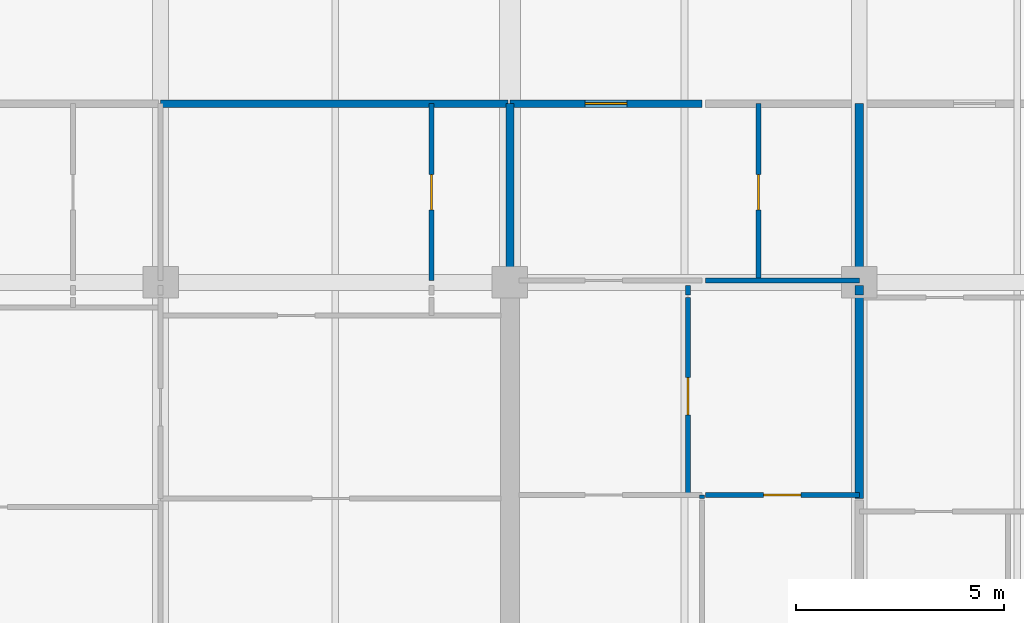
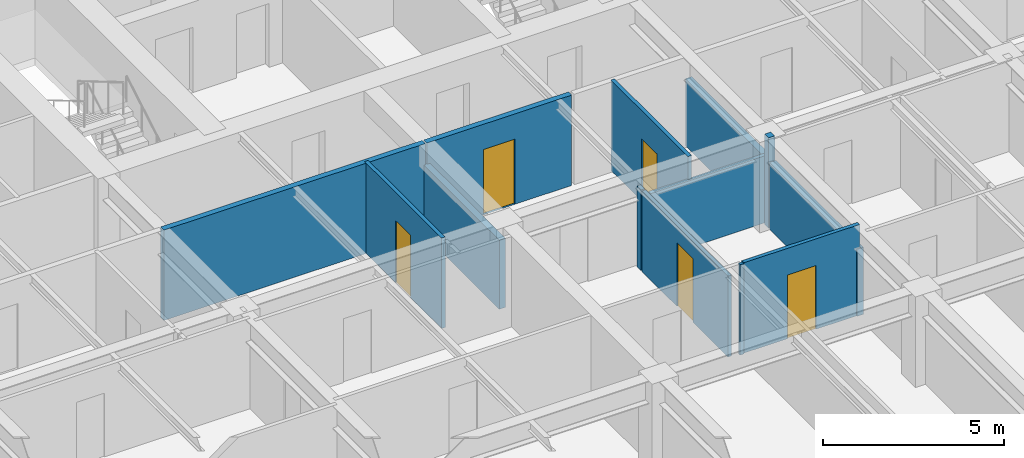
# One storey, part 8 of 18: 13 walls, 5 doors, 5 openings.
"""IFC4 building model written with IfcOpenShell, lengths in metres."""

from ifc_helpers import new_model, si_unit, direction, frame, frame_2d, origin, place, context, subcontext, project, spatial, rectangle, extrude, material, layer, layer_set, type_object, element, fill, save


model = new_model("IFC4")

# Units and contexts
model_context = context("Model", 3, precision=1e-05, world=origin(), true_north=direction((0.0, 1.0)))
body_context = subcontext(model_context, "Body", "Model", "MODEL_VIEW")
ifc_project = project(units=[si_unit("LENGTHUNIT", "METRE"), si_unit("AREAUNIT", "SQUARE_METRE"), si_unit("VOLUMEUNIT", "CUBIC_METRE"), si_unit("PLANEANGLEUNIT", "RADIAN"), si_unit("MASSUNIT", "GRAM", prefix="KILO")], contexts=[model_context])

# Site, building, storey
site_placement = place(None, origin())
site = spatial("IfcSite", under=ifc_project, at=site_placement, CompositionType="ELEMENT")
building_placement = place(site_placement, origin())
building = spatial("IfcBuilding", under=site, at=building_placement, Name="Caelmar Bay Residences", CompositionType="ELEMENT")
storey_placement = place(building_placement, frame((0.0, 0.0, 170.39990234375)))
storey = spatial("IfcBuildingStorey", under=building, at=storey_placement, Name="L47", CompositionType="ELEMENT", Elevation=170.39990234375)

# Wall
ifc_material_1 = material(Name="Double-stud acoustic fire-rated gypsum partition 180 mm")
ifc_layer_1 = layer(ifc_material_1, 0.179931640625)
ifc_layer_set_1 = layer_set([ifc_layer_1], Name="Double-stud acoustic fire-rated gypsum partition 180 mm")
wall_type_1 = type_object("IfcWallType", Name="W-COR-200", PredefinedType="PARTITIONING", material=ifc_layer_set_1)
wall_1_placement = place(storey_placement, frame((18.300048828125, 33.699951171875, 0.0), z_axis=(0.0, 0.0, 1.0), x_axis=(1.0, 0.0, 0.0)))
element("IfcWall", 1, at=wall_1_placement, inside=storey, type_object=wall_type_1, Name="L47 Partition Wall H115", PredefinedType="PARTITIONING", context=body_context, shape_type="SweptSolid", body=[
    extrude(rectangle(XDim=8.349853515625, YDim=0.179931640625, at=frame_2d((4.1748046875, 0.0))), origin(), (0.0, 0.0, 1.0), 3.050048828125),
])

# Wall, opening, door
wall_2_placement = place(storey_placement, frame((26.699951171875, 33.699951171875, 0.0), z_axis=(0.0, 0.0, 1.0), x_axis=(1.0, 0.0, 0.0)))
wall_2 = element("IfcWall", 2, at=wall_2_placement, inside=storey, type_object=wall_type_1, Name="L47 Partition Wall H116", PredefinedType="PARTITIONING", context=body_context, shape_type="SweptSolid", body=[
    extrude(rectangle(XDim=4.6201171875, YDim=0.179931640625, at=frame_2d((2.31005859375, 0.0))), origin(), (0.0, 0.0, 1.0), 3.050048828125),
])
opening_1_placement = place(wall_2_placement, frame((1.81005859375, 0.0, 0.0)))
opening_1 = element("IfcOpeningElement", 3, at=opening_1_placement, cuts=wall_2, Name="Opening D-L47-132", PredefinedType="OPENING", context=body_context, shape_type="SweptSolid", body=[
    extrude(rectangle(XDim=1.0, YDim=2.199951171875, at=frame_2d((0.5, 1.10009765625))), frame((0.0, 0.099853515625, 0.0), z_axis=(0.0, -1.0, 0.0), x_axis=(1.0, 0.0, 0.0)), (0.0, 0.0, 1.0), 0.199951171875),
])
ifc_material_2 = material(Name="Fire-rated steel and walnut architectural door assembly", Category="steel")
ifc_layer_2 = layer(ifc_material_2, 0.050048828125)
ifc_layer_set_2 = layer_set([ifc_layer_2], Name="Fire-rated steel and walnut architectural door assembly")
door_type_1 = type_object("IfcDoorType", Name="D-UNIT-1000", OperationType="NOTDEFINED", PredefinedType="DOOR", material=ifc_layer_set_2)
door_1_placement = place(opening_1_placement, origin())
door_1 = element("IfcDoor", 4, at=door_1_placement, inside=storey, type_object=door_type_1, Name="L47 Residence 02 Apartment Hall Door", OperationType="SINGLE_SWING_LEFT", OverallHeight=2.199951171875, OverallWidth=1.0, PredefinedType="DOOR", context=body_context, shape_type="SweptSolid", body=[
    extrude(rectangle(XDim=1.0, YDim=2.199951171875, at=frame_2d((0.5, 1.10009765625))), frame((0.0, 0.02490234375, 0.0), z_axis=(0.0, -1.0, 0.0), x_axis=(1.0, 0.0, 0.0)), (0.0, 0.0, 1.0), 0.050048828125),
])
fill(opening_1, door_1)

ifc_material_3 = material(Name="Acoustic metal-stud gypsum partition 120 mm")
ifc_layer_3 = layer(ifc_material_3, 0.1201171875)
ifc_layer_set_3 = layer_set([ifc_layer_3], Name="Acoustic metal-stud gypsum partition 120 mm")
wall_type_2 = type_object("IfcWallType", Name="W-PRT-120", PredefinedType="PARTITIONING", material=ifc_layer_set_3)
wall_3_placement = place(storey_placement, frame((24.818115234375, 29.43994140625, 0.0), z_axis=(0.0, 0.0, 1.0), x_axis=(0.0, 1.0, 0.0)))
wall_3 = element("IfcWall", 5, at=wall_3_placement, inside=storey, type_object=wall_type_2, Name="L47 Partition Wall V021", PredefinedType="PARTITIONING", context=body_context, shape_type="SweptSolid", body=[
    extrude(rectangle(XDim=4.260009765625, YDim=0.1201171875, at=frame_2d((2.1298828125, 0.0))), origin(), (0.0, 0.0, 1.0), 3.050048828125),
])
opening_2_placement = place(wall_3_placement, frame((1.705078125, 0.0, 0.0)))
opening_2 = element("IfcOpeningElement", 6, at=opening_2_placement, cuts=wall_3, Name="Opening D-L47-129", PredefinedType="OPENING", context=body_context, shape_type="SweptSolid", body=[
    extrude(rectangle(XDim=0.85009765625, YDim=2.10009765625, at=frame_2d((0.425048828125, 1.050048828125))), frame((0.0, 0.070068359375, 0.0), z_axis=(0.0, -1.0, 0.0), x_axis=(1.0, 0.0, 0.0)), (0.0, 0.0, 1.0), 0.14013671875),
])
ifc_material_4 = material(Name="Solid walnut timber interior door leaf and frame", Category="wood")
ifc_layer_4 = layer(ifc_material_4, 0.050048828125)
ifc_layer_set_4 = layer_set([ifc_layer_4], Name="Solid walnut timber interior door leaf and frame")
door_type_2 = type_object("IfcDoorType", Name="D-BATH-850", OperationType="NOTDEFINED", PredefinedType="DOOR", material=ifc_layer_set_4)
door_2_placement = place(opening_2_placement, origin())
door_2 = element("IfcDoor", 7, at=door_2_placement, inside=storey, type_object=door_type_2, Name="L47 Residence 01 En-Suite Bathroom 1 Door", OperationType="SINGLE_SWING_RIGHT", OverallHeight=2.10009765625, OverallWidth=0.85009765625, PredefinedType="DOOR", context=body_context, shape_type="SweptSolid", body=[
    extrude(rectangle(XDim=0.85009765625, YDim=2.10009765625, at=frame_2d((0.425048828125, 1.050048828125))), frame((0.0, 0.02490234375, 0.0), z_axis=(0.0, -1.0, 0.0), x_axis=(1.0, 0.0, 0.0)), (0.0, 0.0, 1.0), 0.050048828125),
])
fill(opening_2, door_2)

wall_4_placement = place(storey_placement, frame((30.986083984375, 24.2900390625, 0.0), z_axis=(0.0, 0.0, 1.0), x_axis=(0.0, 1.0, 0.0)))
wall_4 = element("IfcWall", 8, at=wall_4_placement, inside=storey, type_object=wall_type_2, Name="L47 Partition Wall V029", PredefinedType="PARTITIONING", context=body_context, shape_type="SweptSolid", body=[
    extrude(rectangle(XDim=4.75, YDim=0.1201171875, at=frame_2d((2.375, 0.0))), origin(), (0.0, 0.0, 1.0), 2.72509765625),
])
opening_3_placement = place(wall_4_placement, frame((1.925048828125, 0.0, 0.0)))
opening_3 = element("IfcOpeningElement", 9, at=opening_3_placement, cuts=wall_4, Name="Opening D-L47-135", PredefinedType="OPENING", context=body_context, shape_type="SweptSolid", body=[
    extrude(rectangle(XDim=0.89990234375, YDim=2.14990234375, at=frame_2d((0.449951171875, 1.074951171875))), frame((0.0, 0.070068359375, 0.0), z_axis=(0.0, -1.0, 0.0), x_axis=(1.0, 0.0, 0.0)), (0.0, 0.0, 1.0), 0.14013671875),
])
ifc_layer_5 = layer(ifc_material_4, 0.050048828125)
ifc_layer_set_5 = layer_set([ifc_layer_5], Name="Solid walnut timber interior door leaf and frame")
door_type_3 = type_object("IfcDoorType", Name="D-ROOM-900", OperationType="NOTDEFINED", PredefinedType="DOOR", material=ifc_layer_set_5)
door_3_placement = place(opening_3_placement, origin())
door_3 = element("IfcDoor", 10, at=door_3_placement, inside=storey, type_object=door_type_3, Name="L47 Residence 02 Home Office Door", OperationType="SINGLE_SWING_RIGHT", OverallHeight=2.14990234375, OverallWidth=0.89990234375, PredefinedType="DOOR", context=body_context, shape_type="SweptSolid", body=[
    extrude(rectangle(XDim=0.89990234375, YDim=2.14990234375, at=frame_2d((0.449951171875, 1.074951171875))), frame((0.0, 0.02490234375, 0.0), z_axis=(0.0, -1.0, 0.0), x_axis=(1.0, 0.0, 0.0)), (0.0, 0.0, 1.0), 0.050048828125),
])
fill(opening_3, door_3)

# Walls
wall_5_placement = place(storey_placement, frame((30.986083984375, 29.10009765625, 0.0), z_axis=(0.0, 0.0, 1.0), x_axis=(0.0, 1.0, 0.0)))
element("IfcWall", 11, at=wall_5_placement, inside=storey, type_object=wall_type_2, Name="L47 Partition Wall V030", PredefinedType="PARTITIONING", context=body_context, shape_type="SweptSolid", body=[
    extrude(rectangle(XDim=0.219970703125, YDim=0.1201171875, at=frame_2d((0.10986328125, 0.0))), origin(), (0.0, 0.0, 1.0), 2.72509765625),
])
wall_6_placement = place(storey_placement, frame((31.320068359375, 24.199951171875, 0.0), z_axis=(0.0, 0.0, 1.0), x_axis=(0.0, 1.0, 0.0)))
element("IfcWall", 12, at=wall_6_placement, inside=storey, type_object=wall_type_2, Name="L47 Partition Wall V033", PredefinedType="PARTITIONING", context=body_context, shape_type="SweptSolid", body=[
    extrude(rectangle(XDim=0.090087890625, YDim=0.1201171875, at=frame_2d((0.044921875, 0.0))), origin(), (0.0, 0.0, 1.0), 3.050048828125),
])

# Wall, opening, door
wall_7_placement = place(storey_placement, frame((32.681884765625, 29.43994140625, 0.0), z_axis=(0.0, 0.0, 1.0), x_axis=(0.0, 1.0, 0.0)))
wall_7 = element("IfcWall", 13, at=wall_7_placement, inside=storey, type_object=wall_type_2, Name="L47 Partition Wall V035", PredefinedType="PARTITIONING", context=body_context, shape_type="SweptSolid", body=[
    extrude(rectangle(XDim=4.260009765625, YDim=0.1201171875, at=frame_2d((2.1298828125, 0.0))), origin(), (0.0, 0.0, 1.0), 3.050048828125),
])
opening_4_placement = place(wall_7_placement, frame((1.705078125, 0.0, 0.0)))
opening_4 = element("IfcOpeningElement", 14, at=opening_4_placement, cuts=wall_7, Name="Opening D-L47-133", PredefinedType="OPENING", context=body_context, shape_type="SweptSolid", body=[
    extrude(rectangle(XDim=0.85009765625, YDim=2.10009765625, at=frame_2d((0.425048828125, 1.050048828125))), frame((0.0, 0.070068359375, 0.0), z_axis=(0.0, -1.0, 0.0), x_axis=(1.0, 0.0, 0.0)), (0.0, 0.0, 1.0), 0.14013671875),
])
door_4_placement = place(opening_4_placement, origin())
door_4 = element("IfcDoor", 15, at=door_4_placement, inside=storey, type_object=door_type_2, Name="L47 Residence 02 Bathroom Door", OperationType="SINGLE_SWING_RIGHT", OverallHeight=2.10009765625, OverallWidth=0.85009765625, PredefinedType="DOOR", context=body_context, shape_type="SweptSolid", body=[
    extrude(rectangle(XDim=0.85009765625, YDim=2.10009765625, at=frame_2d((0.425048828125, 1.050048828125))), frame((0.0, 0.02490234375, 0.0), z_axis=(0.0, -1.0, 0.0), x_axis=(1.0, 0.0, 0.0)), (0.0, 0.0, 1.0), 0.050048828125),
])
fill(opening_4, door_4)

wall_8_placement = place(storey_placement, frame((31.39990234375, 24.2900390625, 0.0), z_axis=(0.0, 0.0, 1.0), x_axis=(1.0, 0.0, 0.0)))
wall_8 = element("IfcWall", 16, at=wall_8_placement, inside=storey, type_object=wall_type_2, Name="L47 Partition Wall H104", PredefinedType="PARTITIONING", context=body_context, shape_type="SweptSolid", body=[
    extrude(rectangle(XDim=3.7001953125, YDim=0.1201171875, at=frame_2d((1.85009765625, 0.0))), origin(), (0.0, 0.0, 1.0), 3.050048828125),
])
opening_5_placement = place(wall_8_placement, frame((1.39990234375, 0.0, 0.0)))
opening_5 = element("IfcOpeningElement", 17, at=opening_5_placement, cuts=wall_8, Name="Opening D-L47-137", PredefinedType="OPENING", context=body_context, shape_type="SweptSolid", body=[
    extrude(rectangle(XDim=0.89990234375, YDim=2.14990234375, at=frame_2d((0.449951171875, 1.074951171875))), frame((0.0, 0.070068359375, 0.0), z_axis=(0.0, -1.0, 0.0), x_axis=(1.0, 0.0, 0.0)), (0.0, 0.0, 1.0), 0.14013671875),
])
door_5_placement = place(opening_5_placement, origin())
door_5 = element("IfcDoor", 18, at=door_5_placement, inside=storey, type_object=door_type_3, Name="L47 Residence 02 Penthouse Sitting Room Door", OperationType="SINGLE_SWING_RIGHT", OverallHeight=2.14990234375, OverallWidth=0.89990234375, PredefinedType="DOOR", context=body_context, shape_type="SweptSolid", body=[
    extrude(rectangle(XDim=0.89990234375, YDim=2.14990234375, at=frame_2d((0.449951171875, 1.074951171875))), frame((0.0, 0.02490234375, 0.0), z_axis=(0.0, -1.0, 0.0), x_axis=(1.0, 0.0, 0.0)), (0.0, 0.0, 1.0), 0.050048828125),
])
fill(opening_5, door_5)

# Walls
wall_9_placement = place(storey_placement, frame((31.39990234375, 29.43994140625, 0.0), z_axis=(0.0, 0.0, 1.0), x_axis=(1.0, 0.0, 0.0)))
element("IfcWall", 19, at=wall_9_placement, inside=storey, type_object=wall_type_2, Name="L47 Partition Wall H112", PredefinedType="PARTITIONING", context=body_context, shape_type="SweptSolid", body=[
    extrude(rectangle(XDim=3.7001953125, YDim=0.1201171875, at=frame_2d((1.85009765625, 0.0))), origin(), (0.0, 0.0, 1.0), 2.26318359375),
])
ifc_material_5 = material(Name="Acoustic twin-stud fire-rated inter-tenancy partition 200 mm")
ifc_layer_6 = layer(ifc_material_5, 0.199951171875)
ifc_layer_set_6 = layer_set([ifc_layer_6], Name="Acoustic twin-stud fire-rated inter-tenancy partition 200 mm")
wall_type_3 = type_object("IfcWallType", Name="W-PTY-200", PredefinedType="PARTITIONING", material=ifc_layer_set_6)
wall_10_placement = place(storey_placement, frame((26.699951171875, 29.43994140625, 0.0), z_axis=(0.0, 0.0, 1.0), x_axis=(0.0, 1.0, 0.0)))
element("IfcWall", 20, at=wall_10_placement, inside=storey, type_object=wall_type_3, Name="L47 Partition Wall V026", PredefinedType="PARTITIONING", context=body_context, shape_type="SweptSolid", body=[
    extrude(rectangle(XDim=4.260009765625, YDim=0.199951171875, at=frame_2d((2.1298828125, 0.0))), origin(), (0.0, 0.0, 1.0), 2.335205078125),
])
wall_11_placement = place(storey_placement, frame((35.10009765625, 24.199951171875, 0.0), z_axis=(0.0, 0.0, 1.0), x_axis=(0.0, 1.0, 0.0)))
element("IfcWall", 21, at=wall_11_placement, inside=storey, type_object=wall_type_3, Name="L47 Partition Wall V038", PredefinedType="PARTITIONING", context=body_context, shape_type="SweptSolid", body=[
    extrude(rectangle(XDim=4.840087890625, YDim=0.199951171875, at=frame_2d((2.419921875, 0.0))), origin(), (0.0, 0.0, 1.0), 2.26318359375),
])
wall_12_placement = place(storey_placement, frame((35.10009765625, 29.10009765625, 0.0), z_axis=(0.0, 0.0, 1.0), x_axis=(0.0, 1.0, 0.0)))
element("IfcWall", 22, at=wall_12_placement, inside=storey, type_object=wall_type_3, Name="L47 Partition Wall V039", PredefinedType="PARTITIONING", context=body_context, shape_type="SweptSolid", body=[
    extrude(rectangle(XDim=0.219970703125, YDim=0.199951171875, at=frame_2d((0.10986328125, 0.0))), origin(), (0.0, 0.0, 1.0), 3.050048828125),
])
wall_13_placement = place(storey_placement, frame((35.10009765625, 29.43994140625, 0.0), z_axis=(0.0, 0.0, 1.0), x_axis=(0.0, 1.0, 0.0)))
element("IfcWall", 23, at=wall_13_placement, inside=storey, type_object=wall_type_3, Name="L47 Partition Wall V040", PredefinedType="PARTITIONING", context=body_context, shape_type="SweptSolid", body=[
    extrude(rectangle(XDim=4.260009765625, YDim=0.199951171875, at=frame_2d((2.1298828125, 0.0))), origin(), (0.0, 0.0, 1.0), 2.26318359375),
])

save(model, "model.ifc")
